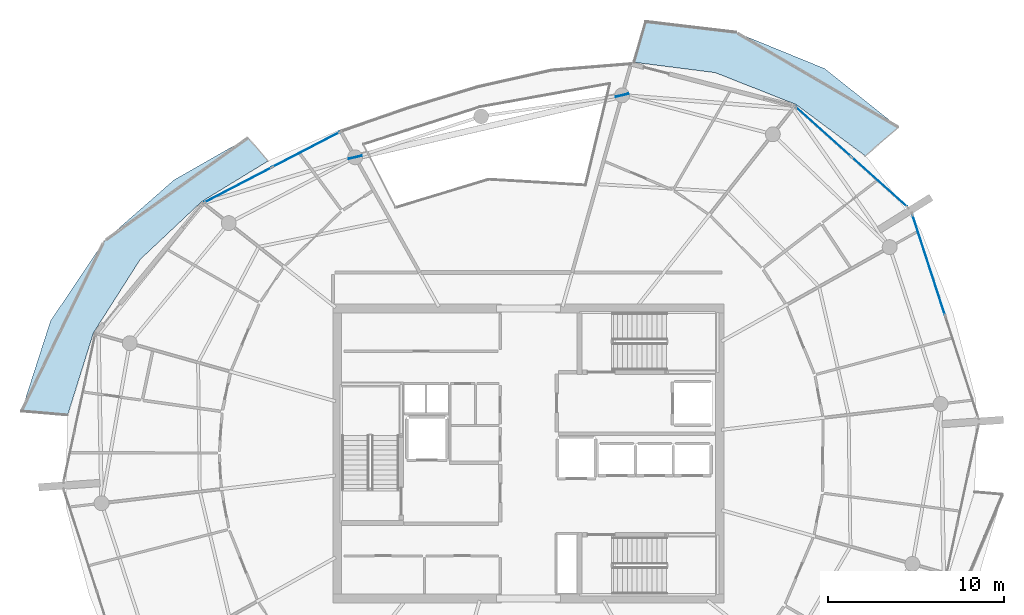
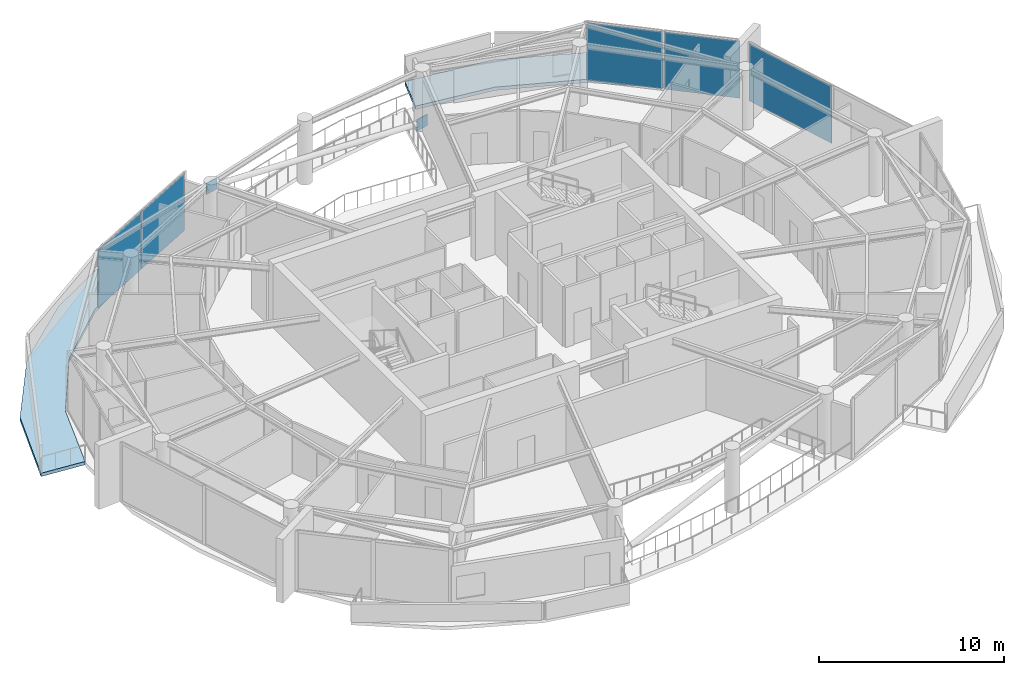
# One storey, part 12 of 22: 7 plates, 2 slabs, 3 elements without a shape of their own.
"""IFC4 building model written with IfcOpenShell, lengths in metres."""

from ifc_helpers import new_model, si_unit, direction, frame, origin, origin_2d, place, context, subcontext, project, spatial, polyline, rectangle, outline, extrude, material, layer, layer_set, type_object, element, aggregate, save


model = new_model("IFC4")

# Units and contexts
model_context = context("Model", 3, precision=1e-05, world=origin(), true_north=direction((0.0, 1.0)))
body_context = subcontext(model_context, "Body", "Model", "MODEL_VIEW")
ifc_project = project(units=[si_unit("LENGTHUNIT", "METRE"), si_unit("AREAUNIT", "SQUARE_METRE"), si_unit("VOLUMEUNIT", "CUBIC_METRE"), si_unit("PLANEANGLEUNIT", "RADIAN"), si_unit("MASSUNIT", "GRAM", prefix="KILO")], contexts=[model_context])

# Site, building, storey
site_placement = place(None, origin())
site = spatial("IfcSite", under=ifc_project, at=site_placement, CompositionType="ELEMENT")
building_placement = place(site_placement, origin())
building = spatial("IfcBuilding", under=site, at=building_placement, Name="Kazma Halo Residences", CompositionType="ELEMENT")
storey_placement = place(building_placement, frame((0.0, 0.0, 322.10009765625)))
storey = spatial("IfcBuildingStorey", under=building, at=storey_placement, Name="L81", CompositionType="ELEMENT", Elevation=322.10009765625)

# Curtain wall, plates
ifc_material_1 = material(Name="Aluminium AW-6063 T6 and Triple-Silver Low-E Glass", Category="aluminium")
ifc_layer_1 = layer(ifc_material_1, 0.239990234375)
ifc_layer_set_1 = layer_set([ifc_layer_1], Name="Aluminium AW-6063 T6 and Triple-Silver Low-E Glass")
curtain_wall_type = type_object("IfcCurtainWallType", Name="CW-SYS-6", PredefinedType="NOTDEFINED", material=ifc_layer_set_1)
curtain_wall_1_placement = place(storey_placement, origin())
curtain_wall_1 = element("IfcCurtainWall", 1, at=curtain_wall_1_placement, inside=storey, type_object=curtain_wall_type, Name="L81 unitised curtain wall B01", PredefinedType="NOTDEFINED")
ifc_material_2 = material(Name="Clear Triple-Silver Low-E Glass IGU", Category="glass")
ifc_layer_2 = layer(ifc_material_2, 0.035888671875)
ifc_layer_set_2 = layer_set([ifc_layer_2], Name="Clear Triple-Silver Low-E Glass IGU")
plate_type_1 = type_object("IfcPlateType", Name="CW-SYS-6-PNL", PredefinedType="CURTAIN_PANEL", material=ifc_layer_set_2)
plate_1_placement = place(storey_placement, frame((68.37646484375, 57.44189453125, 0.080078125), z_axis=(0.0, 0.0, 1.0), x_axis=(-0.744378829791, 0.667757559118, 0.0)))
plate_1 = element("IfcPlate", 2, at=plate_1_placement, type_object=plate_type_1, Name="CWS-6 panel 1.1", PredefinedType="CURTAIN_PANEL", context=body_context, shape_type="SweptSolid", body=[
    extrude(rectangle(XDim=4.19677734375, YDim=0.035888671875, at=origin_2d()), origin(), (0.0, 0.0, 1.0), 3.780029296875),
])
plate_2_placement = place(storey_placement, frame((65.19287109375, 60.297607421875, 0.080078125), z_axis=(0.0, 0.0, 1.0), x_axis=(-0.744378829791, 0.667757559118, 0.0)))
plate_2 = element("IfcPlate", 3, at=plate_2_placement, type_object=plate_type_1, Name="CWS-6 panel 2.1", PredefinedType="CURTAIN_PANEL", context=body_context, shape_type="SweptSolid", body=[
    extrude(rectangle(XDim=4.19677734375, YDim=0.035888671875, at=origin_2d()), origin(), (0.0, 0.0, 1.0), 3.780029296875),
])
aggregate(curtain_wall_1, [plate_1, plate_2])

curtain_wall_2_placement = place(storey_placement, origin())
curtain_wall_2 = element("IfcCurtainWall", 4, at=curtain_wall_2_placement, inside=storey, type_object=curtain_wall_type, Name="L81 unitised curtain wall B05", PredefinedType="NOTDEFINED")
plate_3_placement = place(storey_placement, frame((35.77197265625, 59.286865234375, 0.080078125), z_axis=(0.0, 0.0, 1.0), x_axis=(-0.887506071618, -0.460796020861, 0.0)))
plate_3 = element("IfcPlate", 5, at=plate_3_placement, type_object=plate_type_1, Name="CWS-6 panel 1.1", PredefinedType="CURTAIN_PANEL", context=body_context, shape_type="SweptSolid", body=[
    extrude(rectangle(XDim=4.28662109375, YDim=0.035888671875, at=origin_2d()), origin(), (0.0, 0.0, 1.0), 3.780029296875),
])
plate_4_placement = place(storey_placement, frame((31.896728515625, 57.274658203125, 0.080078125), z_axis=(0.0, 0.0, 1.0), x_axis=(-0.887506071618, -0.460796020861, 0.0)))
plate_4 = element("IfcPlate", 6, at=plate_4_placement, type_object=plate_type_1, Name="CWS-6 panel 2.1", PredefinedType="CURTAIN_PANEL", context=body_context, shape_type="SweptSolid", body=[
    extrude(rectangle(XDim=4.28662109375, YDim=0.035888671875, at=origin_2d()), origin(), (0.0, 0.0, 1.0), 3.780029296875),
])
aggregate(curtain_wall_2, [plate_3, plate_4])

# Curtain wall, plate
curtain_wall_3_placement = place(storey_placement, origin())
curtain_wall_3 = element("IfcCurtainWall", 7, at=curtain_wall_3_placement, inside=storey, type_object=curtain_wall_type, Name="L81 unitised curtain wall B16", PredefinedType="NOTDEFINED")
plate_5_placement = place(storey_placement, frame((71.18408203125, 52.7255859375, 0.080078125), z_axis=(0.0, 0.0, 1.0), x_axis=(-0.309018932797, 0.951055886462, 0.0)))
plate_5 = element("IfcPlate", 8, at=plate_5_placement, type_object=plate_type_1, Name="CWS-6 panel 2.1", PredefinedType="CURTAIN_PANEL", context=body_context, shape_type="SweptSolid", body=[
    extrude(rectangle(XDim=5.99267578125, YDim=0.035888671875, at=origin_2d()), origin(), (0.0, 0.0, 1.0), 3.780029296875),
])
aggregate(curtain_wall_3, [plate_5])

# Plates
ifc_material_3 = material(Name="Steel S355", Category="steel")
ifc_layer_3 = layer(ifc_material_3, 0.0400390625)
ifc_layer_set_3 = layer_set([ifc_layer_3], Name="Steel S355")
plate_type_2 = type_object("IfcPlateType", Name="PLT-GUSSET-40", PredefinedType="SHEET", material=ifc_layer_set_3)
for number, where, z_axis, x_axis, name in (
    (9, (53.74658203125, 62.37646484375, -0.0751953125), (0.0, 0.0, 1.0), (-0.974083647521, -0.226188080216, 0.0), "L81 wind-portal lower gusset NNW"),
    (10, (38.563232421875, 58.8505859375, 3.184814453125), (0.0, 0.0, 1.0), (-0.974083647521, -0.226188080216, 0.0), "L81 wind-portal upper gusset NNW"),
):
    element("IfcPlate", number, at=place(storey_placement, frame(where, z_axis=z_axis, x_axis=x_axis)), inside=storey, type_object=plate_type_2, Name=name, PredefinedType="SHEET", context=body_context, shape_type="SweptSolid", body=[
        extrude(rectangle(XDim=0.75, YDim=0.0400390625, at=origin_2d()), origin(), (0.0, 0.0, 1.0), 0.75),
    ])

# Slabs
ifc_material_4 = material(Name="White Concrete C50/60", Category="concrete")
ifc_layer_4 = layer(ifc_material_4, 0.219970703125)
ifc_layer_set_4 = layer_set([ifc_layer_4], Name="White Concrete C50/60")
slab_type = type_object("IfcSlabType", Name="SLB-BAL-WAVE-210", PredefinedType="FLOOR", material=ifc_layer_set_4)
slab_1_placement = place(storey_placement, frame((0.0, 0.0, -0.22021484375)))
element("IfcSlab", 11, at=slab_1_placement, inside=storey, type_object=slab_type, Name="L81 NE cantilevered wave balcony slab", PredefinedType="FLOOR", context=body_context, shape_type="SweptSolid", body=[
    extrude(outline(polyline([(67.578369140625, 58.929443359375), (63.64697265625, 61.847900390625), (59.038818359375, 63.664794921875), (54.42333984375, 64.254150390625), (55.091796875, 66.569580078125), (60.20947265625, 65.962158203125), (65.261474609375, 63.89599609375), (69.463134765625, 60.559326171875), (67.578369140625, 58.929443359375)])), origin(), (0.0, 0.0, 1.0), 0.22021484375),
])
slab_2_placement = place(storey_placement, frame((0.0, 0.0, -0.22021484375)))
element("IfcSlab", 12, at=slab_2_placement, inside=storey, type_object=slab_type, Name="L81 NW cantilevered wave balcony slab", PredefinedType="FLOOR", context=body_context, shape_type="SweptSolid", body=[
    extrude(outline(polyline([(33.61181640625, 58.639404296875), (29.82763671875, 56.325927734375), (26.335205078125, 53.038818359375), (23.675048828125, 48.8603515625), (22.2099609375, 44.188232421875), (19.58203125, 44.411376953125), (21.23974609375, 49.547119140625), (24.28857421875, 54.08154296875), (28.259765625, 57.56201171875), (32.468994140625, 59.961181640625), (33.61181640625, 58.639404296875)])), origin(), (0.0, 0.0, 1.0), 0.22021484375),
])

save(model, "model.ifc")
